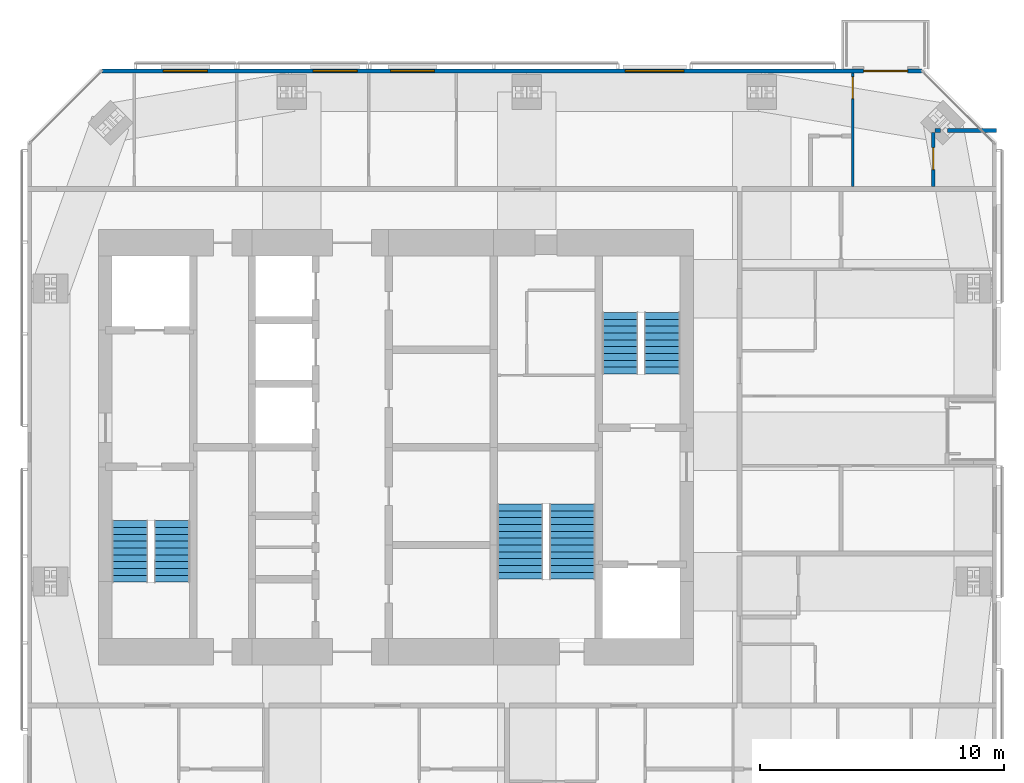
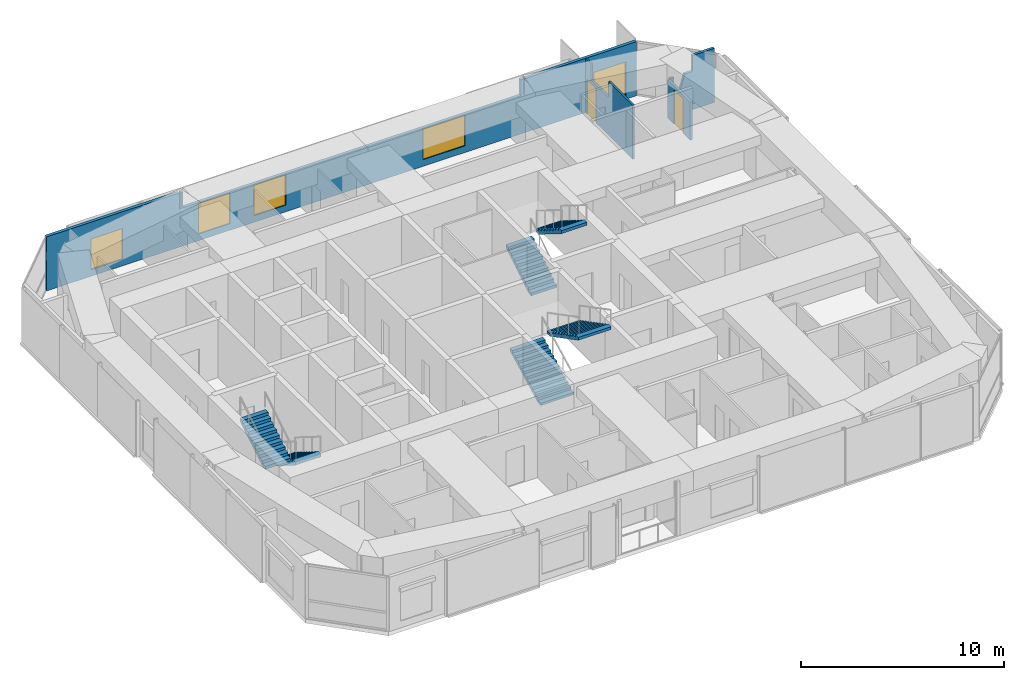
# One storey, part 19 of 20: 6 stair flights, 5 walls, 4 windows, 3 doors, 7 openings, 3 elements without a shape of their own.
"""IFC4 building model written with IfcOpenShell, lengths in metres."""

from ifc_helpers import new_model, si_unit, direction, frame, frame_2d, origin, place, context, subcontext, project, spatial, polyline, rectangle, outline, extrude, material, constituent, constituent_set, type_object, element, fill, aggregate, save


model = new_model("IFC4")

# Units and contexts
model_context = context("Model", 3, precision=1e-05, world=origin(), true_north=direction((0.0, 1.0)))
body_context = subcontext(model_context, "Body", "Model", "MODEL_VIEW")
ifc_project = project(units=[si_unit("LENGTHUNIT", "METRE"), si_unit("AREAUNIT", "SQUARE_METRE"), si_unit("VOLUMEUNIT", "CUBIC_METRE"), si_unit("PLANEANGLEUNIT", "RADIAN"), si_unit("MASSUNIT", "GRAM", prefix="KILO")], contexts=[model_context])

# Site, building, storey
site_placement = place(None, origin())
site = spatial("IfcSite", under=ifc_project, at=site_placement, CompositionType="ELEMENT")
building_placement = place(site_placement, origin())
building = spatial("IfcBuilding", under=site, at=building_placement, Name="Jalousie Tower", CompositionType="ELEMENT")
storey_placement = place(building_placement, frame((0.0, 0.0, 242.449951171875)))
storey = spatial("IfcBuildingStorey", under=building, at=storey_placement, Name="L66", CompositionType="ELEMENT", Elevation=242.449951171875)

# Walls
ifc_material_1 = material(Name="Concrete block ASTM C90", Category="concrete")
ifc_constituent_1 = constituent(ifc_material_1, Name="Body")
ifc_material_2 = material(Name="Render")
ifc_constituent_2 = constituent(ifc_material_2, Name="Finish")
ifc_constituent_set_1 = constituent_set(constituents=[ifc_constituent_1, ifc_constituent_2])
wall_type_1 = type_object("IfcWallType", Name="BATHROOM WALL 150", PredefinedType="PLUMBINGWALL", material=ifc_constituent_set_1)
wall_1_placement = place(storey_placement, frame((53.97509765625, 31.47509765625, 0.0), z_axis=(0.0, 0.0, 1.0), x_axis=(1.0, 0.0, 0.0)))
element("IfcWall", 1, at=wall_1_placement, inside=storey, type_object=wall_type_1, Name="Bathroom Wall 150 L66-A", PredefinedType="PLUMBINGWALL", context=body_context, shape_type="SweptSolid", body=[
    extrude(rectangle(XDim=0.216796875, YDim=0.14990234375, at=frame_2d((0.1083984375, 0.0))), origin(), (0.0, 0.0, 1.0), 2.300048828125),
])
wall_2_placement = place(storey_placement, frame((54.47802734375, 31.47509765625, 0.0), z_axis=(0.0, 0.0, 1.0), x_axis=(1.0, 0.0, 0.0)))
element("IfcWall", 2, at=wall_2_placement, inside=storey, type_object=wall_type_1, Name="Bathroom Wall 150 L66-B", PredefinedType="PLUMBINGWALL", context=body_context, shape_type="SweptSolid", body=[
    extrude(outline(polyline([(0.773681640625, 3.260009765625), (0.773681640625, 2.300048828125), (0.3251953125, 2.300048828125), (0.0, 1.150146484375), (0.3251953125, 0.0), (2.02197265625, 0.0), (2.02197265625, 3.260009765625), (0.773681640625, 3.260009765625)])), frame((0.0, 0.074951171875, 0.0), z_axis=(0.0, -1.0, 0.0), x_axis=(1.0, 0.0, 0.0)), (0.0, 0.0, 1.0), 0.14990234375),
])

# Wall, opening, door
wall_3_placement = place(storey_placement, frame((53.89990234375, 31.39990234375, 0.0), z_axis=(0.0, 0.0, 1.0), x_axis=(0.0, -1.0, 0.0)))
wall_3 = element("IfcWall", 3, at=wall_3_placement, inside=storey, type_object=wall_type_1, Name="Bathroom Wall 150 L66", PredefinedType="PLUMBINGWALL", context=body_context, shape_type="SweptSolid", body=[
    extrude(outline(polyline([(0.0, 0.0), (2.224853515625, 0.0), (2.22509765625, 3.260009765625), (2.22509765625, 2.300048828125), (0.43798828125, 2.300048828125), (0.0, 2.300048828125), (0.0, 3.260009765625), (0.0, 0.0)])), frame((0.0, 0.074951171875, 0.0), z_axis=(0.0, -1.0, 0.0), x_axis=(1.0, 0.0, 0.0)), (0.0, 0.0, 1.0), 0.14990234375),
])
opening_1_placement = place(wall_3_placement, frame((0.625, 0.0, 0.0)))
opening_1 = element("IfcOpeningElement", 4, at=opening_1_placement, cuts=wall_3, Name="Opening D3", PredefinedType="OPENING", context=body_context, shape_type="SweptSolid", body=[
    extrude(rectangle(XDim=0.89990234375, YDim=2.10009765625, at=frame_2d((0.449951171875, 1.050048828125))), frame((0.0, 0.0849609375, 0.0), z_axis=(0.0, -1.0, 0.0), x_axis=(1.0, 0.0, 0.0)), (0.0, 0.0, 1.0), 0.169921875),
])
ifc_material_3 = material(Name="Timber door", Category="wood")
door_type_1 = type_object("IfcDoorType", Name="BATHROOM DOOR 900", OperationType="SINGLE_SWING_LEFT", PredefinedType="DOOR", material=ifc_material_3)
door_1_placement = place(opening_1_placement, origin())
door_1 = element("IfcDoor", 5, at=door_1_placement, inside=storey, type_object=door_type_1, Name="Apartment 6604 bathroom door", OperationType="SINGLE_SWING_LEFT", OverallHeight=2.10009765625, OverallWidth=0.89990234375, PredefinedType="DOOR", context=body_context, shape_type="SweptSolid", body=[
    extrude(rectangle(XDim=0.89990234375, YDim=2.10009765625, at=frame_2d((0.449951171875, 1.050048828125))), frame((0.0, 0.02490234375, 0.0), z_axis=(0.0, -1.0, 0.0), x_axis=(1.0, 0.0, 0.0)), (0.0, 0.0, 1.0), 0.050048828125),
])
fill(opening_1, door_1)

# Wall, openings, door, windows
ifc_material_4 = material(Name="Concrete f'c 40 MPa", Category="concrete")
ifc_constituent_3 = constituent(ifc_material_4, Name="Body")
ifc_material_5 = material(Name="Render, pastel sky blue")
ifc_constituent_4 = constituent(ifc_material_5, Name="Finish")
ifc_constituent_set_2 = constituent_set(constituents=[ifc_constituent_3, ifc_constituent_4])
wall_type_2 = type_object("IfcWallType", Name="EXTERNAL WALL 175 SKY BLUE RENDER", PredefinedType="SOLIDWALL", material=ifc_constituent_set_2)
wall_4_placement = place(storey_placement, frame((53.44873046875, 33.91259765625, 0.0), z_axis=(0.0, 0.0, 1.0), x_axis=(-1.0, 0.0, 0.0)))
wall_4 = element("IfcWall", 6, at=wall_4_placement, inside=storey, type_object=wall_type_2, Name="External Wall 175 Sky Blue Render L66", PredefinedType="SOLIDWALL", context=body_context, shape_type="SweptSolid", body=[
    extrude(outline(polyline([(0.0, 0.0), (33.597412109375, 0.0), (33.597412109375, 3.260009765625), (26.03857421875, 3.260009765625), (26.03857421875, 2.300048828125), (25.955078125, 2.300048828125), (25.955078125, 3.260009765625), (25.82373046875, 3.260009765625), (25.82373046875, 2.300048828125), (6.57373046875, 2.300048828125), (6.57373046875, 3.260009765625), (6.4423828125, 3.260009765625), (6.4423828125, 2.300048828125), (6.35888671875, 2.300048828125), (6.35888671875, 3.260009765625), (0.0, 3.260009765625), (0.0, 0.0)])), frame((0.0, 0.08740234375, 0.0), z_axis=(0.0, -1.0, 0.0), x_axis=(1.0, 0.0, 0.0)), (0.0, 0.0, 1.0), 0.175048828125),
])
opening_2_placement = place(wall_4_placement, frame((0.60009765625, 0.0, 0.0)))
opening_2 = element("IfcOpeningElement", 7, at=opening_2_placement, cuts=wall_4, Name="Opening D-BAL22", PredefinedType="OPENING", context=body_context, shape_type="SweptSolid", body=[
    extrude(rectangle(XDim=1.800048828125, YDim=2.25, at=frame_2d((0.89990234375, 1.125))), frame((0.0, 0.097412109375, 0.0), z_axis=(0.0, -1.0, 0.0), x_axis=(1.0, 0.0, 0.0)), (0.0, 0.0, 1.0), 0.195068359375),
])
opening_3_placement = place(wall_4_placement, frame((9.760009765625, 0.0, 0.39990234375)))
opening_3 = element("IfcOpeningElement", 8, at=opening_3_placement, cuts=wall_4, Name="Opening W-LIV185", PredefinedType="OPENING", context=body_context, shape_type="SweptSolid", body=[
    extrude(rectangle(XDim=2.39990234375, YDim=1.85009765625, at=frame_2d((1.199951171875, 0.925048828125))), frame((0.0, 0.097412109375, 0.0), z_axis=(0.0, -1.0, 0.0), x_axis=(1.0, 0.0, 0.0)), (0.0, 0.0, 1.0), 0.195068359375),
])
opening_4_placement = place(wall_4_placement, frame((19.9736328125, 0.0, 0.39990234375)))
opening_4 = element("IfcOpeningElement", 9, at=opening_4_placement, cuts=wall_4, Name="Opening W-BED185", PredefinedType="OPENING", context=body_context, shape_type="SweptSolid", body=[
    extrude(rectangle(XDim=1.800048828125, YDim=1.85009765625, at=frame_2d((0.89990234375, 0.925048828125))), frame((0.0, 0.097412109375, 0.0), z_axis=(0.0, -1.0, 0.0), x_axis=(1.0, 0.0, 0.0)), (0.0, 0.0, 1.0), 0.195068359375),
])
opening_5_placement = place(wall_4_placement, frame((23.143798828125, 0.0, 0.39990234375)))
opening_5 = element("IfcOpeningElement", 10, at=opening_5_placement, cuts=wall_4, Name="Opening W-BED185", PredefinedType="OPENING", context=body_context, shape_type="SweptSolid", body=[
    extrude(rectangle(XDim=1.800048828125, YDim=1.85009765625, at=frame_2d((0.89990234375, 0.925048828125))), frame((0.0, 0.097412109375, 0.0), z_axis=(0.0, -1.0, 0.0), x_axis=(1.0, 0.0, 0.0)), (0.0, 0.0, 1.0), 0.195068359375),
])
opening_6_placement = place(wall_4_placement, frame((29.273193359375, 0.0, 0.39990234375)))
opening_6 = element("IfcOpeningElement", 11, at=opening_6_placement, cuts=wall_4, Name="Opening W-BED185", PredefinedType="OPENING", context=body_context, shape_type="SweptSolid", body=[
    extrude(rectangle(XDim=1.800048828125, YDim=1.85009765625, at=frame_2d((0.89990234375, 0.925048828125))), frame((0.0, 0.097412109375, 0.0), z_axis=(0.0, -1.0, 0.0), x_axis=(1.0, 0.0, 0.0)), (0.0, 0.0, 1.0), 0.195068359375),
])
ifc_material_6 = material(Name="Aluminium frame, impact-rated glazing", Category="aluminium")
door_type_2 = type_object("IfcDoorType", Name="BALCONY DOOR 1800x2250", OperationType="SLIDING_TO_LEFT", PredefinedType="DOOR", material=ifc_material_6)
door_2_placement = place(opening_2_placement, origin())
door_2 = element("IfcDoor", 12, at=door_2_placement, inside=storey, type_object=door_type_2, Name="Apartment 6604 bedroom 5 balcony door", OperationType="SLIDING_TO_LEFT", OverallHeight=2.25, OverallWidth=1.800048828125, PredefinedType="DOOR", context=body_context, shape_type="SweptSolid", body=[
    extrude(rectangle(XDim=1.800048828125, YDim=2.25, at=frame_2d((0.89990234375, 1.125))), frame((0.0, 0.02490234375, 0.0), z_axis=(0.0, -1.0, 0.0), x_axis=(1.0, 0.0, 0.0)), (0.0, 0.0, 1.0), 0.050048828125),
])
fill(opening_2, door_2)
ifc_material_7 = material(Name="Aluminium frame, impact-rated glazing", Category="aluminium")
window_type_1 = type_object("IfcWindowType", Name="WINDOW BED 1800x1850", PartitioningType="SINGLE_PANEL", PredefinedType="WINDOW", material=ifc_material_7)
window_1_placement = place(opening_4_placement, origin())
window_1 = element("IfcWindow", 13, at=window_1_placement, inside=storey, type_object=window_type_1, Name="Apartment 6604 bedroom 4 window", OverallHeight=1.85009765625, OverallWidth=1.800048828125, PartitioningType="SINGLE_PANEL", PredefinedType="WINDOW", context=body_context, shape_type="SweptSolid", body=[
    extrude(rectangle(XDim=1.800048828125, YDim=1.85009765625, at=frame_2d((0.89990234375, 0.925048828125))), frame((0.0, 0.030029296875, 0.0), z_axis=(0.0, -1.0, 0.0), x_axis=(1.0, 0.0, 0.0)), (0.0, 0.0, 1.0), 0.06005859375),
])
fill(opening_4, window_1)
window_2_placement = place(opening_5_placement, origin())
window_2 = element("IfcWindow", 14, at=window_2_placement, inside=storey, type_object=window_type_1, Name="Apartment 6604 bedroom 3 window", OverallHeight=1.85009765625, OverallWidth=1.800048828125, PartitioningType="SINGLE_PANEL", PredefinedType="WINDOW", context=body_context, shape_type="SweptSolid", body=[
    extrude(rectangle(XDim=1.800048828125, YDim=1.85009765625, at=frame_2d((0.89990234375, 0.925048828125))), frame((0.0, 0.030029296875, 0.0), z_axis=(0.0, -1.0, 0.0), x_axis=(1.0, 0.0, 0.0)), (0.0, 0.0, 1.0), 0.06005859375),
])
fill(opening_5, window_2)
window_3_placement = place(opening_6_placement, origin())
window_3 = element("IfcWindow", 15, at=window_3_placement, inside=storey, type_object=window_type_1, Name="Apartment 6604 bedroom 2 window", OverallHeight=1.85009765625, OverallWidth=1.800048828125, PartitioningType="SINGLE_PANEL", PredefinedType="WINDOW", context=body_context, shape_type="SweptSolid", body=[
    extrude(rectangle(XDim=1.800048828125, YDim=1.85009765625, at=frame_2d((0.89990234375, 0.925048828125))), frame((0.0, 0.030029296875, 0.0), z_axis=(0.0, -1.0, 0.0), x_axis=(1.0, 0.0, 0.0)), (0.0, 0.0, 1.0), 0.06005859375),
])
fill(opening_6, window_3)
ifc_material_8 = material(Name="Aluminium frame, impact-rated glazing", Category="aluminium")
window_type_2 = type_object("IfcWindowType", Name="WINDOW LIV 2400x1850", PartitioningType="DOUBLE_PANEL_VERTICAL", PredefinedType="WINDOW", material=ifc_material_8)
window_4_placement = place(opening_3_placement, origin())
window_4 = element("IfcWindow", 16, at=window_4_placement, inside=storey, type_object=window_type_2, Name="Apartment 6604 living, dining and kitchen window", OverallHeight=1.85009765625, OverallWidth=2.39990234375, PartitioningType="SINGLE_PANEL", PredefinedType="WINDOW", context=body_context, shape_type="SweptSolid", body=[
    extrude(rectangle(XDim=2.39990234375, YDim=1.85009765625, at=frame_2d((1.199951171875, 0.925048828125))), frame((0.0, 0.030029296875, 0.0), z_axis=(0.0, -1.0, 0.0), x_axis=(1.0, 0.0, 0.0)), (0.0, 0.0, 1.0), 0.06005859375),
])
fill(opening_3, window_4)

# Wall, opening, door
ifc_material_9 = material(Name="Gypsum board", Category="gypsum")
ifc_constituent_5 = constituent(ifc_material_9, Name="Body")
ifc_material_10 = material(Name="Light-gauge steel studs ASTM A653 SS Grade 33", Category="steel")
ifc_constituent_6 = constituent(ifc_material_10, Name="Framing")
ifc_constituent_set_3 = constituent_set(constituents=[ifc_constituent_5, ifc_constituent_6])
wall_type_3 = type_object("IfcWallType", Name="PARTITION 100", PredefinedType="PARTITIONING", material=ifc_constituent_set_3)
wall_5_placement = place(storey_placement, frame((50.6025390625, 33.824951171875, 0.0), z_axis=(0.0, 0.0, 1.0), x_axis=(0.0, -1.0, 0.0)))
wall_5 = element("IfcWall", 17, at=wall_5_placement, inside=storey, type_object=wall_type_3, Name="Partition 100 L66", PredefinedType="PARTITIONING", context=body_context, shape_type="SweptSolid", body=[
    extrude(outline(polyline([(0.0, 0.0), (4.64990234375, 0.0), (4.64990234375, 3.260009765625), (2.279052734375, 3.260009765625), (2.279052734375, 2.300048828125), (0.534423828125, 2.300048828125), (0.534423828125, 3.260009765625), (0.0, 3.260009765625), (0.0, 0.0)])), frame((0.0, 0.050048828125, 0.0), z_axis=(0.0, -1.0, 0.0), x_axis=(1.0, 0.0, 0.0)), (0.0, 0.0, 1.0), 0.10009765625),
])
opening_7_placement = place(wall_5_placement, frame((0.14990234375, 0.0, 0.0)))
opening_7 = element("IfcOpeningElement", 18, at=opening_7_placement, cuts=wall_5, Name="Opening D2", PredefinedType="OPENING", context=body_context, shape_type="SweptSolid", body=[
    extrude(rectangle(XDim=0.89990234375, YDim=2.10009765625, at=frame_2d((0.449951171875, 1.050048828125))), frame((0.0, 0.06005859375, 0.0), z_axis=(0.0, -1.0, 0.0), x_axis=(1.0, 0.0, 0.0)), (0.0, 0.0, 1.0), 0.1201171875),
])
ifc_material_11 = material(Name="Timber door", Category="wood")
door_type_3 = type_object("IfcDoorType", Name="BEDROOM DOOR 900", OperationType="SINGLE_SWING_LEFT", PredefinedType="DOOR", material=ifc_material_11)
door_3_placement = place(opening_7_placement, origin())
door_3 = element("IfcDoor", 19, at=door_3_placement, inside=storey, type_object=door_type_3, Name="Apartment 6604 bedroom 5 door", OperationType="SINGLE_SWING_LEFT", OverallHeight=2.10009765625, OverallWidth=0.89990234375, PredefinedType="DOOR", context=body_context, shape_type="SweptSolid", body=[
    extrude(rectangle(XDim=0.89990234375, YDim=2.10009765625, at=frame_2d((0.449951171875, 1.050048828125))), frame((0.0, 0.02490234375, 0.0), z_axis=(0.0, -1.0, 0.0), x_axis=(1.0, 0.0, 0.0)), (0.0, 0.0, 1.0), 0.050048828125),
])
fill(opening_7, door_3)

# Stair, stair flights
ifc_material_12 = material(Name="Concrete f'c 40 MPa", Category="concrete")
stair_type = type_object("IfcStairType", Name="EXIT STAIR", PredefinedType="HALF_TURN_STAIR", material=ifc_material_12)
stair_1_placement = place(storey_placement, origin())
stair_1 = element("IfcStair", 20, at=stair_1_placement, inside=storey, type_object=stair_type, Name="Exit stair A L66", PredefinedType="HALF_TURN_STAIR")
ifc_material_13 = material(Name="Concrete f'c 40 MPa", Category="concrete")
stair_flight_type = type_object("IfcStairFlightType", Name="STAIR FLIGHT", PredefinedType="STRAIGHT", material=ifc_material_13)
stair_flight_1_placement = place(storey_placement, frame((22.71875, 15.49755859375, 0.0), z_axis=(0.0, 0.0, 1.0), x_axis=(0.0, -1.0, 0.0)))
stair_flight_1 = element("IfcStairFlight", 21, at=stair_flight_1_placement, type_object=stair_flight_type, Name="ST-A flight 1", NumberOfRisers=10, NumberOfTreads=9, PredefinedType="STRAIGHT", RiserHeight=0.175, TreadLength=0.28, context=body_context, shape_type="SweptSolid", body=[
    extrude(outline(polyline([(0.0, 0.0), (0.0, 0.175048828125), (0.280029296875, 0.175048828125), (0.280029296875, 0.35009765625), (0.56005859375, 0.35009765625), (0.56005859375, 0.52490234375), (0.840087890625, 0.52490234375), (0.840087890625, 0.699951171875), (1.1201171875, 0.699951171875), (1.1201171875, 0.875), (1.39990234375, 0.875), (1.39990234375, 1.050048828125), (1.679931640625, 1.050048828125), (1.679931640625, 1.22509765625), (1.9599609375, 1.22509765625), (1.9599609375, 1.39990234375), (2.239990234375, 1.39990234375), (2.239990234375, 1.574951171875), (2.52001953125, 1.574951171875), (2.52001953125, 1.75), (2.52001953125, 1.398193359375), (0.28271484375, 0.0), (0.0, 0.0)])), frame((0.0, 0.731201171875, 0.0), z_axis=(0.0, -1.0, 0.0), x_axis=(1.0, 0.0, 0.0)), (0.0, 0.0, 1.0), 1.46240234375),
])
stair_flight_2_placement = place(storey_placement, frame((21.00634765625, 12.9775390625, 1.75), z_axis=(0.0, 0.0, 1.0), x_axis=(0.0, 1.0, 0.0)))
stair_flight_2 = element("IfcStairFlight", 22, at=stair_flight_2_placement, type_object=stair_flight_type, Name="ST-A flight 2", NumberOfRisers=10, NumberOfTreads=9, PredefinedType="STRAIGHT", RiserHeight=0.175, TreadLength=0.28, context=body_context, shape_type="SweptSolid", body=[
    extrude(outline(polyline([(0.0, 0.0), (0.0, 0.175048828125), (0.280029296875, 0.175048828125), (0.280029296875, 0.35009765625), (0.56005859375, 0.35009765625), (0.56005859375, 0.52490234375), (0.840087890625, 0.52490234375), (0.840087890625, 0.699951171875), (1.1201171875, 0.699951171875), (1.1201171875, 0.875), (1.39990234375, 0.875), (1.39990234375, 1.050048828125), (1.679931640625, 1.050048828125), (1.679931640625, 1.22509765625), (1.9599609375, 1.22509765625), (1.9599609375, 1.39990234375), (2.239990234375, 1.39990234375), (2.239990234375, 1.574951171875), (2.52001953125, 1.574951171875), (2.52001953125, 1.75), (2.52001953125, 1.398193359375), (0.28271484375, 0.0), (0.0, 0.0)])), frame((0.0, 0.731201171875, 0.0), z_axis=(0.0, -1.0, 0.0), x_axis=(1.0, 0.0, 0.0)), (0.0, 0.0, 1.0), 1.46240234375),
])
aggregate(stair_1, [stair_flight_1, stair_flight_2])

stair_2_placement = place(storey_placement, origin())
stair_2 = element("IfcStair", 23, at=stair_2_placement, inside=storey, type_object=stair_type, Name="Exit stair B L66", PredefinedType="HALF_TURN_STAIR")
stair_flight_3_placement = place(storey_placement, frame((41.081298828125, 21.50244140625, 0.0), z_axis=(0.0, 0.0, 1.0), x_axis=(0.0, 1.0, 0.0)))
stair_flight_3 = element("IfcStairFlight", 24, at=stair_flight_3_placement, type_object=stair_flight_type, Name="ST-B flight 1", NumberOfRisers=10, NumberOfTreads=9, PredefinedType="STRAIGHT", RiserHeight=0.175, TreadLength=0.28, context=body_context, shape_type="SweptSolid", body=[
    extrude(outline(polyline([(0.0, 0.0), (0.0, 0.175048828125), (0.280029296875, 0.175048828125), (0.280029296875, 0.35009765625), (0.56005859375, 0.35009765625), (0.56005859375, 0.52490234375), (0.840087890625, 0.52490234375), (0.840087890625, 0.699951171875), (1.1201171875, 0.699951171875), (1.1201171875, 0.875), (1.39990234375, 0.875), (1.39990234375, 1.050048828125), (1.679931640625, 1.050048828125), (1.679931640625, 1.22509765625), (1.9599609375, 1.22509765625), (1.9599609375, 1.39990234375), (2.239990234375, 1.39990234375), (2.239990234375, 1.574951171875), (2.52001953125, 1.574951171875), (2.52001953125, 1.75), (2.52001953125, 1.398193359375), (0.28271484375, 0.0), (0.0, 0.0)])), frame((0.0, 0.731201171875, 0.0), z_axis=(0.0, -1.0, 0.0), x_axis=(1.0, 0.0, 0.0)), (0.0, 0.0, 1.0), 1.46240234375),
])
stair_flight_4_placement = place(storey_placement, frame((42.793701171875, 24.0224609375, 1.75), z_axis=(0.0, 0.0, 1.0), x_axis=(0.0, -1.0, 0.0)))
stair_flight_4 = element("IfcStairFlight", 25, at=stair_flight_4_placement, type_object=stair_flight_type, Name="ST-B flight 2", NumberOfRisers=10, NumberOfTreads=9, PredefinedType="STRAIGHT", RiserHeight=0.175, TreadLength=0.28, context=body_context, shape_type="SweptSolid", body=[
    extrude(outline(polyline([(0.0, 0.0), (0.0, 0.175048828125), (0.280029296875, 0.175048828125), (0.280029296875, 0.35009765625), (0.56005859375, 0.35009765625), (0.56005859375, 0.52490234375), (0.840087890625, 0.52490234375), (0.840087890625, 0.699951171875), (1.1201171875, 0.699951171875), (1.1201171875, 0.875), (1.39990234375, 0.875), (1.39990234375, 1.050048828125), (1.679931640625, 1.050048828125), (1.679931640625, 1.22509765625), (1.9599609375, 1.22509765625), (1.9599609375, 1.39990234375), (2.239990234375, 1.39990234375), (2.239990234375, 1.574951171875), (2.52001953125, 1.574951171875), (2.52001953125, 1.75), (2.52001953125, 1.398193359375), (0.28271484375, 0.0), (0.0, 0.0)])), frame((0.0, 0.731201171875, 0.0), z_axis=(0.0, -1.0, 0.0), x_axis=(1.0, 0.0, 0.0)), (0.0, 0.0, 1.0), 1.46240234375),
])
aggregate(stair_2, [stair_flight_3, stair_flight_4])

stair_3_placement = place(storey_placement, origin())
stair_3 = element("IfcStair", 26, at=stair_3_placement, inside=storey, type_object=stair_type, Name="Exit stair C L66", PredefinedType="HALF_TURN_STAIR")
stair_flight_5_placement = place(storey_placement, frame((36.987548828125, 13.097412109375, 0.0), z_axis=(0.0, 0.0, 1.0), x_axis=(0.0, 1.0, 0.0)))
stair_flight_5 = element("IfcStairFlight", 27, at=stair_flight_5_placement, type_object=stair_flight_type, Name="ST-C flight 1", NumberOfRisers=12, NumberOfTreads=11, PredefinedType="STRAIGHT", RiserHeight=0.145833333, TreadLength=0.28, context=body_context, shape_type="SweptSolid", body=[
    extrude(outline(polyline([(0.0, 0.0), (0.0, 0.145751953125), (0.280029296875, 0.145751953125), (0.280029296875, 0.291748046875), (0.56005859375, 0.291748046875), (0.56005859375, 0.4375), (0.840087890625, 0.4375), (0.840087890625, 0.583251953125), (1.1201171875, 0.583251953125), (1.1201171875, 0.729248046875), (1.39990234375, 0.729248046875), (1.39990234375, 0.875), (1.679931640625, 0.875), (1.679931640625, 1.020751953125), (1.9599609375, 1.020751953125), (1.9599609375, 1.166748046875), (2.239990234375, 1.166748046875), (2.239990234375, 1.3125), (2.52001953125, 1.3125), (2.52001953125, 1.458251953125), (2.800048828125, 1.458251953125), (2.800048828125, 1.604248046875), (3.080078125, 1.604248046875), (3.080078125, 1.75), (3.080078125, 1.43505859375), (0.324462890625, 0.0), (0.0, 0.0)])), frame((0.0, 0.9375, 0.0), z_axis=(0.0, -1.0, 0.0), x_axis=(1.0, 0.0, 0.0)), (0.0, 0.0, 1.0), 1.875),
])
stair_flight_6_placement = place(storey_placement, frame((39.112548828125, 16.177490234375, 1.75), z_axis=(0.0, 0.0, 1.0), x_axis=(0.0, -1.0, 0.0)))
stair_flight_6 = element("IfcStairFlight", 28, at=stair_flight_6_placement, type_object=stair_flight_type, Name="ST-C flight 2", NumberOfRisers=12, NumberOfTreads=11, PredefinedType="STRAIGHT", RiserHeight=0.145833333, TreadLength=0.28, context=body_context, shape_type="SweptSolid", body=[
    extrude(outline(polyline([(0.0, 0.0), (0.0, 0.145751953125), (0.280029296875, 0.145751953125), (0.280029296875, 0.291748046875), (0.56005859375, 0.291748046875), (0.56005859375, 0.4375), (0.840087890625, 0.4375), (0.840087890625, 0.583251953125), (1.1201171875, 0.583251953125), (1.1201171875, 0.729248046875), (1.39990234375, 0.729248046875), (1.39990234375, 0.875), (1.679931640625, 0.875), (1.679931640625, 1.020751953125), (1.9599609375, 1.020751953125), (1.9599609375, 1.166748046875), (2.239990234375, 1.166748046875), (2.239990234375, 1.3125), (2.52001953125, 1.3125), (2.52001953125, 1.458251953125), (2.800048828125, 1.458251953125), (2.800048828125, 1.604248046875), (3.080078125, 1.604248046875), (3.080078125, 1.75), (3.080078125, 1.43505859375), (0.324462890625, 0.0), (0.0, 0.0)])), frame((0.0, 0.9375, 0.0), z_axis=(0.0, -1.0, 0.0), x_axis=(1.0, 0.0, 0.0)), (0.0, 0.0, 1.0), 1.875),
])
aggregate(stair_3, [stair_flight_5, stair_flight_6])

save(model, "model.ifc")
